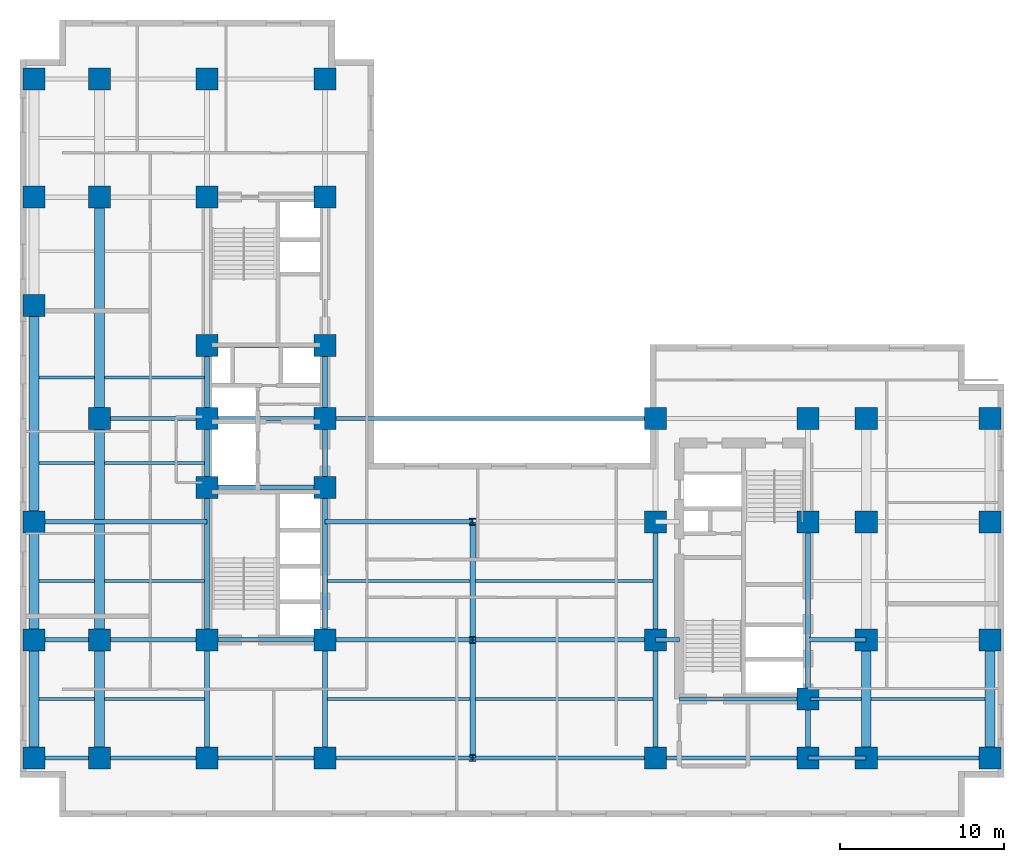
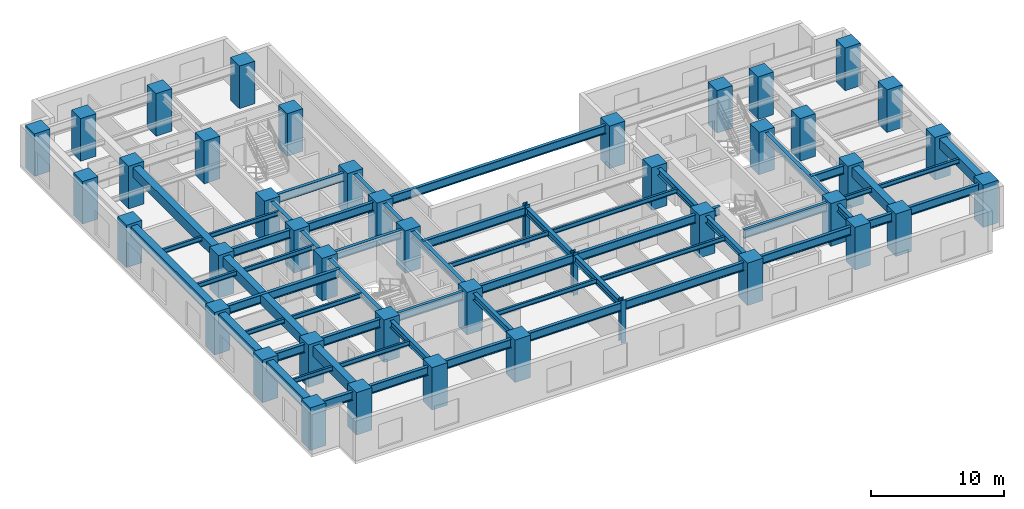
# One storey, part 1 of 9: 59 beams, 44 columns.
"""IFC4 building model written with IfcOpenShell, lengths in metres."""

from ifc_helpers import new_model, entity, si_unit, converted_unit, direction, frame, origin_with_axes, origin_2d_with_axis, place, context, subcontext, project, spatial, rectangle, i_section, extrude, material, material_profile, profile_set, type_object, element, save


model = new_model("IFC4")

# Units and contexts
model_context = context("Model", 3, precision=1e-05, world=origin_with_axes(), true_north=direction((0.0, 1.0)))
body_context = subcontext(model_context, "Body", "Model", "MODEL_VIEW")
ifc_project = project(units=[si_unit("LENGTHUNIT", "METRE"), si_unit("AREAUNIT", "SQUARE_METRE"), si_unit("VOLUMEUNIT", "CUBIC_METRE"), converted_unit("PLANEANGLEUNIT", "DEGREE", entity("IfcPlaneAngleMeasure", 0.017453292519943295), si_unit("PLANEANGLEUNIT", "RADIAN"), dimensions=[0, 0, 0, 0, 0, 0, 0]), si_unit("MASSUNIT", "GRAM", prefix="KILO"), si_unit("THERMODYNAMICTEMPERATUREUNIT", "KELVIN")], contexts=[model_context])

# Site, building, storey
site_placement = place(None, origin_with_axes())
site = spatial("IfcSite", under=ifc_project, at=site_placement, CompositionType="ELEMENT")
building_placement = place(site_placement, origin_with_axes())
building = spatial("IfcBuilding", under=site, at=building_placement, Name="Varnlund Millrace Tower", CompositionType="ELEMENT")
storey_placement = place(building_placement, frame((0.0, 0.0, 52.2), z_axis=(0.0, 0.0, 1.0), x_axis=(1.0, 0.0, 0.0)))
storey = spatial("IfcBuildingStorey", under=building, at=storey_placement, Name="L12", CompositionType="ELEMENT", Elevation=52.2)

# Columns
ifc_material_1 = material(Name="Steel ASTM A913 Grade 65", Category="steel")
ifc_material_profile_1 = material_profile(ifc_material_1, i_section(OverallWidth=0.406, OverallDepth=0.416, WebThickness=0.0298, FlangeThickness=0.048, FilletRadius=0.022, at=origin_2d_with_axis()), Name="Steel ASTM A913 Grade 65")
ifc_profile_set_1 = profile_set([ifc_material_profile_1], Name="Steel ASTM A913 Grade 65")
column_type_1 = type_object("IfcColumnType", Name="Type-Col-Int-W14X257", PredefinedType="COLUMN", material=ifc_profile_set_1)
for number, where, z_axis, x_axis, name in (
    (1, (27.6, 3.6, 0.0), (0.0, 0.0, 1.0), (1.0, 0.0, 0.0), "Type-Col-Int-W14X257"),
    (2, (27.6, 10.8, 0.0), (0.0, 0.0, 1.0), (1.0, 0.0, 0.0), "Type-Col-Int-W14X257"),
    (3, (27.6, 18.0, 0.0), (0.0, 0.0, 1.0), (1.0, 0.0, 0.0), "Type-Col-Int-W14X257"),
):
    element("IfcColumn", number, at=place(storey_placement, frame(where, z_axis=z_axis, x_axis=x_axis)), inside=storey, type_object=column_type_1, Name=name, PredefinedType="COLUMN", context=body_context, shape_type="SweptSolid", body=[
        extrude(i_section(OverallWidth=0.406, OverallDepth=0.416, WebThickness=0.0298, FlangeThickness=0.048, FilletRadius=0.022, at=origin_2d_with_axis()), origin_with_axes(), (0.0, 0.0, 1.0), 3.9),
    ])
ifc_material_2 = material(Name="Concrete C80/95", Category="concrete")
ifc_material_profile_2 = material_profile(ifc_material_2, rectangle(XDim=1.35, YDim=1.35, at=origin_2d_with_axis()), Name="Concrete C80/95")
ifc_profile_set_2 = profile_set([ifc_material_profile_2], Name="Concrete C80/95")
column_type_2 = type_object("IfcColumnType", Name="Type-Col-RC1350-C80", PredefinedType="COLUMN", material=ifc_profile_set_2)
for number, where, z_axis, x_axis, name in (
    (4, (11.4, 3.6, 0.0), (0.0, 0.0, 1.0), (1.0, 0.0, 0.0), "Type-Col-RC1350-C80"),
    (5, (11.4, 10.8, 0.0), (0.0, 0.0, 1.0), (1.0, 0.0, 0.0), "Type-Col-RC1350-C80"),
    (6, (11.4, 20.1, 0.0), (0.0, 0.0, 1.0), (1.0, 0.0, 0.0), "Type-Col-RC1350-C80"),
    (7, (11.4, 24.3, 0.0), (0.0, 0.0, 1.0), (1.0, 0.0, 0.0), "Type-Col-RC1350-C80"),
    (8, (11.4, 28.75, 0.0), (0.0, 0.0, 1.0), (1.0, 0.0, 0.0), "Type-Col-RC1350-C80"),
    (9, (11.4, 37.8, 0.0), (0.0, 0.0, 1.0), (1.0, 0.0, 0.0), "Type-Col-RC1350-C80"),
    (10, (11.4, 45.0, 0.0), (0.0, 0.0, 1.0), (1.0, 0.0, 0.0), "Type-Col-RC1350-C80"),
    (11, (18.6, 3.6, 0.0), (0.0, 0.0, 1.0), (1.0, 0.0, 0.0), "Type-Col-RC1350-C80"),
    (12, (18.6, 10.8, 0.0), (0.0, 0.0, 1.0), (1.0, 0.0, 0.0), "Type-Col-RC1350-C80"),
    (13, (18.6, 20.1, 0.0), (0.0, 0.0, 1.0), (1.0, 0.0, 0.0), "Type-Col-RC1350-C80"),
    (14, (18.6, 24.3, 0.0), (0.0, 0.0, 1.0), (1.0, 0.0, 0.0), "Type-Col-RC1350-C80"),
    (15, (18.6, 28.75, 0.0), (0.0, 0.0, 1.0), (1.0, 0.0, 0.0), "Type-Col-RC1350-C80"),
    (16, (18.6, 37.8, 0.0), (0.0, 0.0, 1.0), (1.0, 0.0, 0.0), "Type-Col-RC1350-C80"),
    (17, (18.6, 45.0, 0.0), (0.0, 0.0, 1.0), (1.0, 0.0, 0.0), "Type-Col-RC1350-C80"),
    (18, (4.85, 3.6, 0.0), (0.0, 0.0, 1.0), (1.0, 0.0, 0.0), "Type-Col-RC1350-C80"),
    (19, (4.85, 10.8, 0.0), (0.0, 0.0, 1.0), (1.0, 0.0, 0.0), "Type-Col-RC1350-C80"),
    (20, (4.85, 24.3, 0.0), (0.0, 0.0, 1.0), (1.0, 0.0, 0.0), "Type-Col-RC1350-C80"),
    (21, (4.85, 37.8, 0.0), (0.0, 0.0, 1.0), (1.0, 0.0, 0.0), "Type-Col-RC1350-C80"),
    (22, (4.85, 45.0, 0.0), (0.0, 0.0, 1.0), (1.0, 0.0, 0.0), "Type-Col-RC1350-C80"),
    (23, (0.85, 3.6, 0.0), (0.0, 0.0, 1.0), (1.0, 0.0, 0.0), "Type-Col-RC1350-C80"),
    (24, (0.85, 10.8, 0.0), (0.0, 0.0, 1.0), (1.0, 0.0, 0.0), "Type-Col-RC1350-C80"),
    (25, (0.85, 18.0, 0.0), (0.0, 0.0, 1.0), (1.0, 0.0, 0.0), "Type-Col-RC1350-C80"),
    (26, (0.85, 31.2, 0.0), (0.0, 0.0, 1.0), (1.0, 0.0, 0.0), "Type-Col-RC1350-C80"),
    (27, (0.85, 37.8, 0.0), (0.0, 0.0, 1.0), (1.0, 0.0, 0.0), "Type-Col-RC1350-C80"),
    (28, (0.85, 45.0, 0.0), (0.0, 0.0, 1.0), (1.0, 0.0, 0.0), "Type-Col-RC1350-C80"),
    (29, (38.75, 3.6, 0.0), (0.0, 0.0, 1.0), (1.0, 0.0, 0.0), "Type-Col-RC1350-C80"),
    (30, (38.75, 10.8, 0.0), (0.0, 0.0, 1.0), (1.0, 0.0, 0.0), "Type-Col-RC1350-C80"),
    (31, (38.75, 18.0, 0.0), (0.0, 0.0, 1.0), (1.0, 0.0, 0.0), "Type-Col-RC1350-C80"),
    (32, (38.75, 24.3, 0.0), (0.0, 0.0, 1.0), (1.0, 0.0, 0.0), "Type-Col-RC1350-C80"),
    (33, (48.05, 3.6, 0.0), (0.0, 0.0, 1.0), (1.0, 0.0, 0.0), "Type-Col-RC1350-C80"),
    (34, (48.05, 7.2, 0.0), (0.0, 0.0, 1.0), (1.0, 0.0, 0.0), "Type-Col-RC1350-C80"),
    (35, (48.05, 18.0, 0.0), (0.0, 0.0, 1.0), (1.0, 0.0, 0.0), "Type-Col-RC1350-C80"),
    (36, (48.05, 24.3, 0.0), (0.0, 0.0, 1.0), (1.0, 0.0, 0.0), "Type-Col-RC1350-C80"),
    (37, (51.6, 3.6, 0.0), (0.0, 0.0, 1.0), (1.0, 0.0, 0.0), "Type-Col-RC1350-C80"),
    (38, (51.6, 10.8, 0.0), (0.0, 0.0, 1.0), (1.0, 0.0, 0.0), "Type-Col-RC1350-C80"),
    (39, (51.6, 18.0, 0.0), (0.0, 0.0, 1.0), (1.0, 0.0, 0.0), "Type-Col-RC1350-C80"),
    (40, (51.6, 24.3, 0.0), (0.0, 0.0, 1.0), (1.0, 0.0, 0.0), "Type-Col-RC1350-C80"),
    (41, (59.15, 3.6, 0.0), (0.0, 0.0, 1.0), (1.0, 0.0, 0.0), "Type-Col-RC1350-C80"),
    (42, (59.15, 10.8, 0.0), (0.0, 0.0, 1.0), (1.0, 0.0, 0.0), "Type-Col-RC1350-C80"),
    (43, (59.15, 18.0, 0.0), (0.0, 0.0, 1.0), (1.0, 0.0, 0.0), "Type-Col-RC1350-C80"),
    (44, (59.15, 24.3, 0.0), (0.0, 0.0, 1.0), (1.0, 0.0, 0.0), "Type-Col-RC1350-C80"),
):
    element("IfcColumn", number, at=place(storey_placement, frame(where, z_axis=z_axis, x_axis=x_axis)), inside=storey, type_object=column_type_2, Name=name, PredefinedType="COLUMN", context=body_context, shape_type="SweptSolid", body=[
        extrude(rectangle(XDim=1.35, YDim=1.35, at=origin_2d_with_axis()), origin_with_axes(), (0.0, 0.0, 1.0), 3.9),
    ])

# Beams
ifc_material_3 = material(Name="Steel ASTM A992 Grade 50", Category="steel")
ifc_material_profile_3 = material_profile(ifc_material_3, i_section(OverallWidth=0.328, OverallDepth=0.628, WebThickness=0.0165, FlangeThickness=0.0277, FilletRadius=0.018, at=origin_2d_with_axis()), Name="Steel ASTM A992 Grade 50")
ifc_profile_set_3 = profile_set([ifc_material_profile_3], Name="Steel ASTM A992 Grade 50")
beam_type_1 = type_object("IfcBeamType", Name="Type-Girder-W24X146", PredefinedType="USERDEFINED", material=ifc_profile_set_3)
beam_1_placement = place(storey_placement, frame((11.4, 3.6, 3.346), z_axis=(0.0, 1.0, 0.0), x_axis=(-1.0, 0.0, 0.0)))
element("IfcBeam", 45, at=beam_1_placement, inside=storey, type_object=beam_type_1, Name="Type-Girder-W24X146", ObjectType="GIRDER", PredefinedType="USERDEFINED", context=body_context, shape_type="SweptSolid", body=[
    extrude(i_section(OverallWidth=0.328, OverallDepth=0.628, WebThickness=0.0165, FlangeThickness=0.0277, FilletRadius=0.018, at=origin_2d_with_axis()), origin_with_axes(), (0.0, 0.0, 1.0), 7.2),
])
beam_2_placement = place(storey_placement, frame((11.4, 10.8, 3.346), z_axis=(0.0, 1.0, 0.0), x_axis=(-1.0, 0.0, 0.0)))
element("IfcBeam", 46, at=beam_2_placement, inside=storey, type_object=beam_type_1, Name="Type-Girder-W24X146", ObjectType="GIRDER", PredefinedType="USERDEFINED", context=body_context, shape_type="SweptSolid", body=[
    extrude(i_section(OverallWidth=0.328, OverallDepth=0.628, WebThickness=0.0165, FlangeThickness=0.0277, FilletRadius=0.018, at=origin_2d_with_axis()), origin_with_axes(), (0.0, 0.0, 1.0), 9.3),
])
beam_3_placement = place(storey_placement, frame((11.4, 20.1, 3.346), z_axis=(0.0, 1.0, 0.0), x_axis=(-1.0, 0.0, 0.0)))
element("IfcBeam", 47, at=beam_3_placement, inside=storey, type_object=beam_type_1, Name="Type-Girder-W24X146", ObjectType="GIRDER", PredefinedType="USERDEFINED", context=body_context, shape_type="SweptSolid", body=[
    extrude(i_section(OverallWidth=0.328, OverallDepth=0.628, WebThickness=0.0165, FlangeThickness=0.0277, FilletRadius=0.018, at=origin_2d_with_axis()), origin_with_axes(), (0.0, 0.0, 1.0), 4.2),
])
beam_4_placement = place(storey_placement, frame((11.4, 24.3, 3.346), z_axis=(0.0, 1.0, 0.0), x_axis=(-1.0, 0.0, 0.0)))
element("IfcBeam", 48, at=beam_4_placement, inside=storey, type_object=beam_type_1, Name="Type-Girder-W24X146", ObjectType="GIRDER", PredefinedType="USERDEFINED", context=body_context, shape_type="SweptSolid", body=[
    extrude(i_section(OverallWidth=0.328, OverallDepth=0.628, WebThickness=0.0165, FlangeThickness=0.0277, FilletRadius=0.018, at=origin_2d_with_axis()), origin_with_axes(), (0.0, 0.0, 1.0), 4.45),
])
beam_5_placement = place(storey_placement, frame((18.6, 3.6, 3.346), z_axis=(0.0, 1.0, 0.0), x_axis=(-1.0, 0.0, 0.0)))
element("IfcBeam", 49, at=beam_5_placement, inside=storey, type_object=beam_type_1, Name="Type-Girder-W24X146", ObjectType="GIRDER", PredefinedType="USERDEFINED", context=body_context, shape_type="SweptSolid", body=[
    extrude(i_section(OverallWidth=0.328, OverallDepth=0.628, WebThickness=0.0165, FlangeThickness=0.0277, FilletRadius=0.018, at=origin_2d_with_axis()), origin_with_axes(), (0.0, 0.0, 1.0), 7.2),
])
beam_6_placement = place(storey_placement, frame((18.6, 10.8, 3.346), z_axis=(0.0, 1.0, 0.0), x_axis=(-1.0, 0.0, 0.0)))
element("IfcBeam", 50, at=beam_6_placement, inside=storey, type_object=beam_type_1, Name="Type-Girder-W24X146", ObjectType="GIRDER", PredefinedType="USERDEFINED", context=body_context, shape_type="SweptSolid", body=[
    extrude(i_section(OverallWidth=0.328, OverallDepth=0.628, WebThickness=0.0165, FlangeThickness=0.0277, FilletRadius=0.018, at=origin_2d_with_axis()), origin_with_axes(), (0.0, 0.0, 1.0), 9.3),
])
beam_7_placement = place(storey_placement, frame((18.6, 20.1, 3.346), z_axis=(0.0, 1.0, 0.0), x_axis=(-1.0, 0.0, 0.0)))
element("IfcBeam", 51, at=beam_7_placement, inside=storey, type_object=beam_type_1, Name="Type-Girder-W24X146", ObjectType="GIRDER", PredefinedType="USERDEFINED", context=body_context, shape_type="SweptSolid", body=[
    extrude(i_section(OverallWidth=0.328, OverallDepth=0.628, WebThickness=0.0165, FlangeThickness=0.0277, FilletRadius=0.018, at=origin_2d_with_axis()), origin_with_axes(), (0.0, 0.0, 1.0), 4.2),
])
beam_8_placement = place(storey_placement, frame((18.6, 24.3, 3.346), z_axis=(0.0, 1.0, 0.0), x_axis=(-1.0, 0.0, 0.0)))
element("IfcBeam", 52, at=beam_8_placement, inside=storey, type_object=beam_type_1, Name="Type-Girder-W24X146", ObjectType="GIRDER", PredefinedType="USERDEFINED", context=body_context, shape_type="SweptSolid", body=[
    extrude(i_section(OverallWidth=0.328, OverallDepth=0.628, WebThickness=0.0165, FlangeThickness=0.0277, FilletRadius=0.018, at=origin_2d_with_axis()), origin_with_axes(), (0.0, 0.0, 1.0), 4.45),
])
for number, where, z_axis, x_axis, name in (
    (53, (27.6, 3.6, 3.346), (0.0, 1.0, 0.0), (-1.0, 0.0, 0.0), "Type-Girder-W24X146"),
    (54, (27.6, 10.8, 3.346), (0.0, 1.0, 0.0), (-1.0, 0.0, 0.0), "Type-Girder-W24X146"),
    (55, (38.75, 3.6, 3.346), (0.0, 1.0, 0.0), (-1.0, 0.0, 0.0), "Type-Girder-W24X146"),
    (56, (38.75, 10.8, 3.346), (0.0, 1.0, 0.0), (-1.0, 0.0, 0.0), "Type-Girder-W24X146"),
):
    element("IfcBeam", number, at=place(storey_placement, frame(where, z_axis=z_axis, x_axis=x_axis)), inside=storey, type_object=beam_type_1, Name=name, ObjectType="GIRDER", PredefinedType="USERDEFINED", context=body_context, shape_type="SweptSolid", body=[
        extrude(i_section(OverallWidth=0.328, OverallDepth=0.628, WebThickness=0.0165, FlangeThickness=0.0277, FilletRadius=0.018, at=origin_2d_with_axis()), origin_with_axes(), (0.0, 0.0, 1.0), 7.2),
    ])
beam_9_placement = place(storey_placement, frame((48.05, 3.6, 3.346), z_axis=(0.0, 1.0, 0.0), x_axis=(-1.0, 0.0, 0.0)))
element("IfcBeam", 57, at=beam_9_placement, inside=storey, type_object=beam_type_1, Name="Type-Girder-W24X146", ObjectType="GIRDER", PredefinedType="USERDEFINED", context=body_context, shape_type="SweptSolid", body=[
    extrude(i_section(OverallWidth=0.328, OverallDepth=0.628, WebThickness=0.0165, FlangeThickness=0.0277, FilletRadius=0.018, at=origin_2d_with_axis()), origin_with_axes(), (0.0, 0.0, 1.0), 3.6),
])
beam_10_placement = place(storey_placement, frame((48.05, 7.2, 3.346), z_axis=(0.0, 1.0, 0.0), x_axis=(-1.0, 0.0, 0.0)))
element("IfcBeam", 58, at=beam_10_placement, inside=storey, type_object=beam_type_1, Name="Type-Girder-W24X146", ObjectType="GIRDER", PredefinedType="USERDEFINED", context=body_context, shape_type="SweptSolid", body=[
    extrude(i_section(OverallWidth=0.328, OverallDepth=0.628, WebThickness=0.0165, FlangeThickness=0.0277, FilletRadius=0.018, at=origin_2d_with_axis()), origin_with_axes(), (0.0, 0.0, 1.0), 10.8),
])
ifc_material_profile_4 = material_profile(ifc_material_3, i_section(OverallWidth=0.266, OverallDepth=0.779, WebThickness=0.0165, FlangeThickness=0.03, FilletRadius=0.02, at=origin_2d_with_axis()), Name="Steel ASTM A992 Grade 50")
ifc_profile_set_4 = profile_set([ifc_material_profile_4], Name="Steel ASTM A992 Grade 50")
beam_type_2 = type_object("IfcBeamType", Name="Type-Girder-W30X148", PredefinedType="USERDEFINED", material=ifc_profile_set_4)
beam_11_placement = place(storey_placement, frame((0.85, 3.6, 3.2705), z_axis=(1.0, 0.0, 0.0), x_axis=(0.0, 1.0, 0.0)))
element("IfcBeam", 59, at=beam_11_placement, inside=storey, type_object=beam_type_2, Name="Type-Girder-W30X148", ObjectType="GIRDER", PredefinedType="USERDEFINED", context=body_context, shape_type="SweptSolid", body=[
    extrude(i_section(OverallWidth=0.266, OverallDepth=0.779, WebThickness=0.0165, FlangeThickness=0.03, FilletRadius=0.02, at=origin_2d_with_axis()), origin_with_axes(), (0.0, 0.0, 1.0), 4.0),
])
beam_12_placement = place(storey_placement, frame((4.85, 3.6, 3.2705), z_axis=(1.0, 0.0, 0.0), x_axis=(0.0, 1.0, 0.0)))
element("IfcBeam", 60, at=beam_12_placement, inside=storey, type_object=beam_type_2, Name="Type-Girder-W30X148", ObjectType="GIRDER", PredefinedType="USERDEFINED", context=body_context, shape_type="SweptSolid", body=[
    extrude(i_section(OverallWidth=0.266, OverallDepth=0.779, WebThickness=0.0165, FlangeThickness=0.03, FilletRadius=0.02, at=origin_2d_with_axis()), origin_with_axes(), (0.0, 0.0, 1.0), 6.55),
])
beam_13_placement = place(storey_placement, frame((11.4, 3.6, 3.2705), z_axis=(1.0, 0.0, 0.0), x_axis=(0.0, 1.0, 0.0)))
element("IfcBeam", 61, at=beam_13_placement, inside=storey, type_object=beam_type_2, Name="Type-Girder-W30X148", ObjectType="GIRDER", PredefinedType="USERDEFINED", context=body_context, shape_type="SweptSolid", body=[
    extrude(i_section(OverallWidth=0.266, OverallDepth=0.779, WebThickness=0.0165, FlangeThickness=0.03, FilletRadius=0.02, at=origin_2d_with_axis()), origin_with_axes(), (0.0, 0.0, 1.0), 7.2),
])
beam_14_placement = place(storey_placement, frame((18.6, 3.6, 3.2705), z_axis=(1.0, 0.0, 0.0), x_axis=(0.0, 1.0, 0.0)))
element("IfcBeam", 62, at=beam_14_placement, inside=storey, type_object=beam_type_2, Name="Type-Girder-W30X148", ObjectType="GIRDER", PredefinedType="USERDEFINED", context=body_context, shape_type="SweptSolid", body=[
    extrude(i_section(OverallWidth=0.266, OverallDepth=0.779, WebThickness=0.0165, FlangeThickness=0.03, FilletRadius=0.02, at=origin_2d_with_axis()), origin_with_axes(), (0.0, 0.0, 1.0), 9.0),
])
beam_15_placement = place(storey_placement, frame((27.6, 3.6, 3.2705), z_axis=(1.0, 0.0, 0.0), x_axis=(0.0, 1.0, 0.0)))
element("IfcBeam", 63, at=beam_15_placement, inside=storey, type_object=beam_type_2, Name="Type-Girder-W30X148", ObjectType="GIRDER", PredefinedType="USERDEFINED", context=body_context, shape_type="SweptSolid", body=[
    extrude(i_section(OverallWidth=0.266, OverallDepth=0.779, WebThickness=0.0165, FlangeThickness=0.03, FilletRadius=0.02, at=origin_2d_with_axis()), origin_with_axes(), (0.0, 0.0, 1.0), 11.15),
])
beam_16_placement = place(storey_placement, frame((38.75, 3.6, 3.2705), z_axis=(1.0, 0.0, 0.0), x_axis=(0.0, 1.0, 0.0)))
element("IfcBeam", 64, at=beam_16_placement, inside=storey, type_object=beam_type_2, Name="Type-Girder-W30X148", ObjectType="GIRDER", PredefinedType="USERDEFINED", context=body_context, shape_type="SweptSolid", body=[
    extrude(i_section(OverallWidth=0.266, OverallDepth=0.779, WebThickness=0.0165, FlangeThickness=0.03, FilletRadius=0.02, at=origin_2d_with_axis()), origin_with_axes(), (0.0, 0.0, 1.0), 9.3),
])
beam_17_placement = place(storey_placement, frame((48.05, 3.6, 3.2705), z_axis=(1.0, 0.0, 0.0), x_axis=(0.0, 1.0, 0.0)))
element("IfcBeam", 65, at=beam_17_placement, inside=storey, type_object=beam_type_2, Name="Type-Girder-W30X148", ObjectType="GIRDER", PredefinedType="USERDEFINED", context=body_context, shape_type="SweptSolid", body=[
    extrude(i_section(OverallWidth=0.266, OverallDepth=0.779, WebThickness=0.0165, FlangeThickness=0.03, FilletRadius=0.02, at=origin_2d_with_axis()), origin_with_axes(), (0.0, 0.0, 1.0), 3.55),
])
beam_18_placement = place(storey_placement, frame((51.6, 3.6, 3.2705), z_axis=(1.0, 0.0, 0.0), x_axis=(0.0, 1.0, 0.0)))
element("IfcBeam", 66, at=beam_18_placement, inside=storey, type_object=beam_type_2, Name="Type-Girder-W30X148", ObjectType="GIRDER", PredefinedType="USERDEFINED", context=body_context, shape_type="SweptSolid", body=[
    extrude(i_section(OverallWidth=0.266, OverallDepth=0.779, WebThickness=0.0165, FlangeThickness=0.03, FilletRadius=0.02, at=origin_2d_with_axis()), origin_with_axes(), (0.0, 0.0, 1.0), 7.55),
])
beam_19_placement = place(storey_placement, frame((40.2, 7.2, 3.2705), z_axis=(1.0, 0.0, 0.0), x_axis=(0.0, 1.0, 0.0)))
element("IfcBeam", 67, at=beam_19_placement, inside=storey, type_object=beam_type_2, Name="Type-Girder-W30X148", ObjectType="GIRDER", PredefinedType="USERDEFINED", context=body_context, shape_type="SweptSolid", body=[
    extrude(i_section(OverallWidth=0.266, OverallDepth=0.779, WebThickness=0.0165, FlangeThickness=0.03, FilletRadius=0.02, at=origin_2d_with_axis()), origin_with_axes(), (0.0, 0.0, 1.0), 7.85),
])
beam_20_placement = place(storey_placement, frame((0.85, 10.8, 3.2705), z_axis=(1.0, 0.0, 0.0), x_axis=(0.0, 1.0, 0.0)))
element("IfcBeam", 68, at=beam_20_placement, inside=storey, type_object=beam_type_2, Name="Type-Girder-W30X148", ObjectType="GIRDER", PredefinedType="USERDEFINED", context=body_context, shape_type="SweptSolid", body=[
    extrude(i_section(OverallWidth=0.266, OverallDepth=0.779, WebThickness=0.0165, FlangeThickness=0.03, FilletRadius=0.02, at=origin_2d_with_axis()), origin_with_axes(), (0.0, 0.0, 1.0), 4.0),
])
beam_21_placement = place(storey_placement, frame((4.85, 10.8, 3.2705), z_axis=(1.0, 0.0, 0.0), x_axis=(0.0, 1.0, 0.0)))
element("IfcBeam", 69, at=beam_21_placement, inside=storey, type_object=beam_type_2, Name="Type-Girder-W30X148", ObjectType="GIRDER", PredefinedType="USERDEFINED", context=body_context, shape_type="SweptSolid", body=[
    extrude(i_section(OverallWidth=0.266, OverallDepth=0.779, WebThickness=0.0165, FlangeThickness=0.03, FilletRadius=0.02, at=origin_2d_with_axis()), origin_with_axes(), (0.0, 0.0, 1.0), 6.55),
])
beam_22_placement = place(storey_placement, frame((11.4, 10.8, 3.2705), z_axis=(1.0, 0.0, 0.0), x_axis=(0.0, 1.0, 0.0)))
element("IfcBeam", 70, at=beam_22_placement, inside=storey, type_object=beam_type_2, Name="Type-Girder-W30X148", ObjectType="GIRDER", PredefinedType="USERDEFINED", context=body_context, shape_type="SweptSolid", body=[
    extrude(i_section(OverallWidth=0.266, OverallDepth=0.779, WebThickness=0.0165, FlangeThickness=0.03, FilletRadius=0.02, at=origin_2d_with_axis()), origin_with_axes(), (0.0, 0.0, 1.0), 7.2),
])
beam_23_placement = place(storey_placement, frame((18.6, 10.8, 3.2705), z_axis=(1.0, 0.0, 0.0), x_axis=(0.0, 1.0, 0.0)))
element("IfcBeam", 71, at=beam_23_placement, inside=storey, type_object=beam_type_2, Name="Type-Girder-W30X148", ObjectType="GIRDER", PredefinedType="USERDEFINED", context=body_context, shape_type="SweptSolid", body=[
    extrude(i_section(OverallWidth=0.266, OverallDepth=0.779, WebThickness=0.0165, FlangeThickness=0.03, FilletRadius=0.02, at=origin_2d_with_axis()), origin_with_axes(), (0.0, 0.0, 1.0), 9.0),
])
beam_24_placement = place(storey_placement, frame((27.6, 10.8, 3.2705), z_axis=(1.0, 0.0, 0.0), x_axis=(0.0, 1.0, 0.0)))
element("IfcBeam", 72, at=beam_24_placement, inside=storey, type_object=beam_type_2, Name="Type-Girder-W30X148", ObjectType="GIRDER", PredefinedType="USERDEFINED", context=body_context, shape_type="SweptSolid", body=[
    extrude(i_section(OverallWidth=0.266, OverallDepth=0.779, WebThickness=0.0165, FlangeThickness=0.03, FilletRadius=0.02, at=origin_2d_with_axis()), origin_with_axes(), (0.0, 0.0, 1.0), 11.15),
])
beam_25_placement = place(storey_placement, frame((38.75, 10.8, 3.2705), z_axis=(1.0, 0.0, 0.0), x_axis=(0.0, 1.0, 0.0)))
element("IfcBeam", 73, at=beam_25_placement, inside=storey, type_object=beam_type_2, Name="Type-Girder-W30X148", ObjectType="GIRDER", PredefinedType="USERDEFINED", context=body_context, shape_type="SweptSolid", body=[
    extrude(i_section(OverallWidth=0.266, OverallDepth=0.779, WebThickness=0.0165, FlangeThickness=0.03, FilletRadius=0.02, at=origin_2d_with_axis()), origin_with_axes(), (0.0, 0.0, 1.0), 1.45),
])
beam_26_placement = place(storey_placement, frame((48.05, 10.8, 3.2705), z_axis=(1.0, 0.0, 0.0), x_axis=(0.0, 1.0, 0.0)))
element("IfcBeam", 74, at=beam_26_placement, inside=storey, type_object=beam_type_2, Name="Type-Girder-W30X148", ObjectType="GIRDER", PredefinedType="USERDEFINED", context=body_context, shape_type="SweptSolid", body=[
    extrude(i_section(OverallWidth=0.266, OverallDepth=0.779, WebThickness=0.0165, FlangeThickness=0.03, FilletRadius=0.02, at=origin_2d_with_axis()), origin_with_axes(), (0.0, 0.0, 1.0), 3.55),
])
beam_27_placement = place(storey_placement, frame((0.85, 18.0, 3.2705), z_axis=(1.0, 0.0, 0.0), x_axis=(0.0, 1.0, 0.0)))
element("IfcBeam", 75, at=beam_27_placement, inside=storey, type_object=beam_type_2, Name="Type-Girder-W30X148", ObjectType="GIRDER", PredefinedType="USERDEFINED", context=body_context, shape_type="SweptSolid", body=[
    extrude(i_section(OverallWidth=0.266, OverallDepth=0.779, WebThickness=0.0165, FlangeThickness=0.03, FilletRadius=0.02, at=origin_2d_with_axis()), origin_with_axes(), (0.0, 0.0, 1.0), 10.55),
])
beam_28_placement = place(storey_placement, frame((18.6, 18.0, 3.2705), z_axis=(1.0, 0.0, 0.0), x_axis=(0.0, 1.0, 0.0)))
element("IfcBeam", 76, at=beam_28_placement, inside=storey, type_object=beam_type_2, Name="Type-Girder-W30X148", ObjectType="GIRDER", PredefinedType="USERDEFINED", context=body_context, shape_type="SweptSolid", body=[
    extrude(i_section(OverallWidth=0.266, OverallDepth=0.779, WebThickness=0.0165, FlangeThickness=0.03, FilletRadius=0.02, at=origin_2d_with_axis()), origin_with_axes(), (0.0, 0.0, 1.0), 9.0),
])
beam_29_placement = place(storey_placement, frame((11.4, 20.1, 3.2705), z_axis=(1.0, 0.0, 0.0), x_axis=(0.0, 1.0, 0.0)))
element("IfcBeam", 77, at=beam_29_placement, inside=storey, type_object=beam_type_2, Name="Type-Girder-W30X148", ObjectType="GIRDER", PredefinedType="USERDEFINED", context=body_context, shape_type="SweptSolid", body=[
    extrude(i_section(OverallWidth=0.266, OverallDepth=0.779, WebThickness=0.0165, FlangeThickness=0.03, FilletRadius=0.02, at=origin_2d_with_axis()), origin_with_axes(), (0.0, 0.0, 1.0), 7.2),
])
beam_30_placement = place(storey_placement, frame((4.85, 24.3, 3.2705), z_axis=(1.0, 0.0, 0.0), x_axis=(0.0, 1.0, 0.0)))
element("IfcBeam", 78, at=beam_30_placement, inside=storey, type_object=beam_type_2, Name="Type-Girder-W30X148", ObjectType="GIRDER", PredefinedType="USERDEFINED", context=body_context, shape_type="SweptSolid", body=[
    extrude(i_section(OverallWidth=0.266, OverallDepth=0.779, WebThickness=0.0165, FlangeThickness=0.03, FilletRadius=0.02, at=origin_2d_with_axis()), origin_with_axes(), (0.0, 0.0, 1.0), 6.55),
])
beam_31_placement = place(storey_placement, frame((11.4, 24.3, 3.2705), z_axis=(1.0, 0.0, 0.0), x_axis=(0.0, 1.0, 0.0)))
element("IfcBeam", 79, at=beam_31_placement, inside=storey, type_object=beam_type_2, Name="Type-Girder-W30X148", ObjectType="GIRDER", PredefinedType="USERDEFINED", context=body_context, shape_type="SweptSolid", body=[
    extrude(i_section(OverallWidth=0.266, OverallDepth=0.779, WebThickness=0.0165, FlangeThickness=0.03, FilletRadius=0.02, at=origin_2d_with_axis()), origin_with_axes(), (0.0, 0.0, 1.0), 7.2),
])
beam_32_placement = place(storey_placement, frame((18.6, 24.3, 3.2705), z_axis=(1.0, 0.0, 0.0), x_axis=(0.0, 1.0, 0.0)))
element("IfcBeam", 80, at=beam_32_placement, inside=storey, type_object=beam_type_2, Name="Type-Girder-W30X148", ObjectType="GIRDER", PredefinedType="USERDEFINED", context=body_context, shape_type="SweptSolid", body=[
    extrude(i_section(OverallWidth=0.266, OverallDepth=0.779, WebThickness=0.0165, FlangeThickness=0.03, FilletRadius=0.02, at=origin_2d_with_axis()), origin_with_axes(), (0.0, 0.0, 1.0), 20.15),
])
beam_33_placement = place(storey_placement, frame((11.4, 28.75, 3.2705), z_axis=(1.0, 0.0, 0.0), x_axis=(0.0, 1.0, 0.0)))
element("IfcBeam", 81, at=beam_33_placement, inside=storey, type_object=beam_type_2, Name="Type-Girder-W30X148", ObjectType="GIRDER", PredefinedType="USERDEFINED", context=body_context, shape_type="SweptSolid", body=[
    extrude(i_section(OverallWidth=0.266, OverallDepth=0.779, WebThickness=0.0165, FlangeThickness=0.03, FilletRadius=0.02, at=origin_2d_with_axis()), origin_with_axes(), (0.0, 0.0, 1.0), 7.2),
])
ifc_material_profile_5 = material_profile(ifc_material_3, i_section(OverallWidth=0.181, OverallDepth=0.417, WebThickness=0.0109, FlangeThickness=0.0182, FilletRadius=0.013, at=origin_2d_with_axis()), Name="Steel ASTM A992 Grade 50")
ifc_profile_set_5 = profile_set([ifc_material_profile_5], Name="Steel ASTM A992 Grade 50")
beam_type_3 = type_object("IfcBeamType", Name="Type-Joist-W16X57", PredefinedType="JOIST", material=ifc_profile_set_5)
for number, where, z_axis, x_axis, name in (
    (82, (1.15, 7.2, 3.4515), (1.0, 0.0, 0.0), (0.0, 1.0, 0.0), "Type-Joist-W16X57"),
    (83, (1.15, 14.4, 3.4515), (1.0, 0.0, 0.0), (0.0, 1.0, 0.0), "Type-Joist-W16X57"),
    (84, (1.15, 21.6, 3.4515), (1.0, 0.0, 0.0), (0.0, 1.0, 0.0), "Type-Joist-W16X57"),
    (85, (1.15, 26.8, 3.4515), (1.0, 0.0, 0.0), (0.0, 1.0, 0.0), "Type-Joist-W16X57"),
):
    element("IfcBeam", number, at=place(storey_placement, frame(where, z_axis=z_axis, x_axis=x_axis)), inside=storey, type_object=beam_type_3, Name=name, PredefinedType="JOIST", context=body_context, shape_type="SweptSolid", body=[
        extrude(i_section(OverallWidth=0.181, OverallDepth=0.417, WebThickness=0.0109, FlangeThickness=0.0182, FilletRadius=0.013, at=origin_2d_with_axis()), origin_with_axes(), (0.0, 0.0, 1.0), 3.4),
    ])
for number, where, z_axis, x_axis, name in (
    (86, (5.15, 7.2, 3.4515), (1.0, 0.0, 0.0), (0.0, 1.0, 0.0), "Type-Joist-W16X57"),
    (87, (5.15, 14.4, 3.4515), (1.0, 0.0, 0.0), (0.0, 1.0, 0.0), "Type-Joist-W16X57"),
    (88, (5.15, 21.6, 3.4515), (1.0, 0.0, 0.0), (0.0, 1.0, 0.0), "Type-Joist-W16X57"),
    (89, (5.15, 26.8, 3.4515), (1.0, 0.0, 0.0), (0.0, 1.0, 0.0), "Type-Joist-W16X57"),
):
    element("IfcBeam", number, at=place(storey_placement, frame(where, z_axis=z_axis, x_axis=x_axis)), inside=storey, type_object=beam_type_3, Name=name, PredefinedType="JOIST", context=body_context, shape_type="SweptSolid", body=[
        extrude(i_section(OverallWidth=0.181, OverallDepth=0.417, WebThickness=0.0109, FlangeThickness=0.0182, FilletRadius=0.013, at=origin_2d_with_axis()), origin_with_axes(), (0.0, 0.0, 1.0), 6.086),
    ])
beam_34_placement = place(storey_placement, frame((48.214, 7.2, 3.4515), z_axis=(1.0, 0.0, 0.0), x_axis=(0.0, 1.0, 0.0)))
element("IfcBeam", 90, at=beam_34_placement, inside=storey, type_object=beam_type_3, Name="Type-Joist-W16X57", PredefinedType="JOIST", context=body_context, shape_type="SweptSolid", body=[
    extrude(i_section(OverallWidth=0.181, OverallDepth=0.417, WebThickness=0.0109, FlangeThickness=0.0182, FilletRadius=0.013, at=origin_2d_with_axis()), origin_with_axes(), (0.0, 0.0, 1.0), 3.086),
])
beam_35_placement = place(storey_placement, frame((51.9, 7.2, 3.4515), z_axis=(1.0, 0.0, 0.0), x_axis=(0.0, 1.0, 0.0)))
element("IfcBeam", 91, at=beam_35_placement, inside=storey, type_object=beam_type_3, Name="Type-Joist-W16X57", PredefinedType="JOIST", context=body_context, shape_type="SweptSolid", body=[
    extrude(i_section(OverallWidth=0.181, OverallDepth=0.417, WebThickness=0.0109, FlangeThickness=0.0182, FilletRadius=0.013, at=origin_2d_with_axis()), origin_with_axes(), (0.0, 0.0, 1.0), 6.95),
])
for number, where, z_axis, x_axis, name in (
    (92, (18.764, 7.2, 3.4515), (1.0, 0.0, 0.0), (0.0, 1.0, 0.0), "Type-Joist-W16X57"),
    (93, (18.764, 14.4, 3.4515), (1.0, 0.0, 0.0), (0.0, 1.0, 0.0), "Type-Joist-W16X57"),
):
    element("IfcBeam", number, at=place(storey_placement, frame(where, z_axis=z_axis, x_axis=x_axis)), inside=storey, type_object=beam_type_3, Name=name, PredefinedType="JOIST", context=body_context, shape_type="SweptSolid", body=[
        extrude(i_section(OverallWidth=0.181, OverallDepth=0.417, WebThickness=0.0109, FlangeThickness=0.0182, FilletRadius=0.013, at=origin_2d_with_axis()), origin_with_axes(), (0.0, 0.0, 1.0), 8.672),
    ])
for number, where, z_axis, x_axis, name in (
    (94, (27.764, 7.2, 3.4515), (1.0, 0.0, 0.0), (0.0, 1.0, 0.0), "Type-Joist-W16X57"),
    (95, (27.764, 14.4, 3.4515), (1.0, 0.0, 0.0), (0.0, 1.0, 0.0), "Type-Joist-W16X57"),
):
    element("IfcBeam", number, at=place(storey_placement, frame(where, z_axis=z_axis, x_axis=x_axis)), inside=storey, type_object=beam_type_3, Name=name, PredefinedType="JOIST", context=body_context, shape_type="SweptSolid", body=[
        extrude(i_section(OverallWidth=0.181, OverallDepth=0.417, WebThickness=0.0109, FlangeThickness=0.0182, FilletRadius=0.013, at=origin_2d_with_axis()), origin_with_axes(), (0.0, 0.0, 1.0), 10.822),
    ])
ifc_material_4 = material(Name="Concrete C70/85", Category="concrete")
ifc_material_profile_6 = material_profile(ifc_material_4, rectangle(XDim=0.6, YDim=0.9, at=origin_2d_with_axis()), Name="Concrete C70/85")
ifc_profile_set_6 = profile_set([ifc_material_profile_6], Name="Concrete C70/85")
beam_type_4 = type_object("IfcBeamType", Name="Type-Spandrel-RC600X900", PredefinedType="SPANDREL", material=ifc_profile_set_6)
for number, where, z_axis, x_axis, name in (
    (96, (0.85, 3.6, 3.21), (0.0, 1.0, 0.0), (-1.0, 0.0, 0.0), "Type-Spandrel-RC600X900"),
    (97, (0.85, 10.8, 3.21), (0.0, 1.0, 0.0), (-1.0, 0.0, 0.0), "Type-Spandrel-RC600X900"),
):
    element("IfcBeam", number, at=place(storey_placement, frame(where, z_axis=z_axis, x_axis=x_axis)), inside=storey, type_object=beam_type_4, Name=name, PredefinedType="SPANDREL", context=body_context, shape_type="SweptSolid", body=[
        extrude(rectangle(XDim=0.6, YDim=0.9, at=origin_2d_with_axis()), origin_with_axes(), (0.0, 0.0, 1.0), 7.2),
    ])
beam_36_placement = place(storey_placement, frame((0.85, 18.0, 3.21), z_axis=(0.0, 1.0, 0.0), x_axis=(-1.0, 0.0, 0.0)))
element("IfcBeam", 98, at=beam_36_placement, inside=storey, type_object=beam_type_4, Name="Type-Spandrel-RC600X900", PredefinedType="SPANDREL", context=body_context, shape_type="SweptSolid", body=[
    extrude(rectangle(XDim=0.6, YDim=0.9, at=origin_2d_with_axis()), origin_with_axes(), (0.0, 0.0, 1.0), 13.2),
])
beam_37_placement = place(storey_placement, frame((4.85, 3.6, 3.21), z_axis=(0.0, 1.0, 0.0), x_axis=(-1.0, 0.0, 0.0)))
element("IfcBeam", 99, at=beam_37_placement, inside=storey, type_object=beam_type_4, Name="Type-Spandrel-RC600X900", PredefinedType="SPANDREL", context=body_context, shape_type="SweptSolid", body=[
    extrude(rectangle(XDim=0.6, YDim=0.9, at=origin_2d_with_axis()), origin_with_axes(), (0.0, 0.0, 1.0), 7.2),
])
for number, where, z_axis, x_axis, name in (
    (100, (4.85, 10.8, 3.21), (0.0, 1.0, 0.0), (-1.0, 0.0, 0.0), "Type-Spandrel-RC600X900"),
    (101, (4.85, 24.3, 3.21), (0.0, 1.0, 0.0), (-1.0, 0.0, 0.0), "Type-Spandrel-RC600X900"),
):
    element("IfcBeam", number, at=place(storey_placement, frame(where, z_axis=z_axis, x_axis=x_axis)), inside=storey, type_object=beam_type_4, Name=name, PredefinedType="SPANDREL", context=body_context, shape_type="SweptSolid", body=[
        extrude(rectangle(XDim=0.6, YDim=0.9, at=origin_2d_with_axis()), origin_with_axes(), (0.0, 0.0, 1.0), 13.5),
    ])
for number, where, z_axis, x_axis, name in (
    (102, (51.6, 3.6, 3.21), (0.0, 1.0, 0.0), (-1.0, 0.0, 0.0), "Type-Spandrel-RC600X900"),
    (103, (59.15, 3.6, 3.21), (0.0, 1.0, 0.0), (-1.0, 0.0, 0.0), "Type-Spandrel-RC600X900"),
):
    element("IfcBeam", number, at=place(storey_placement, frame(where, z_axis=z_axis, x_axis=x_axis)), inside=storey, type_object=beam_type_4, Name=name, PredefinedType="SPANDREL", context=body_context, shape_type="SweptSolid", body=[
        extrude(rectangle(XDim=0.6, YDim=0.9, at=origin_2d_with_axis()), origin_with_axes(), (0.0, 0.0, 1.0), 7.2),
    ])

save(model, "model.ifc")
